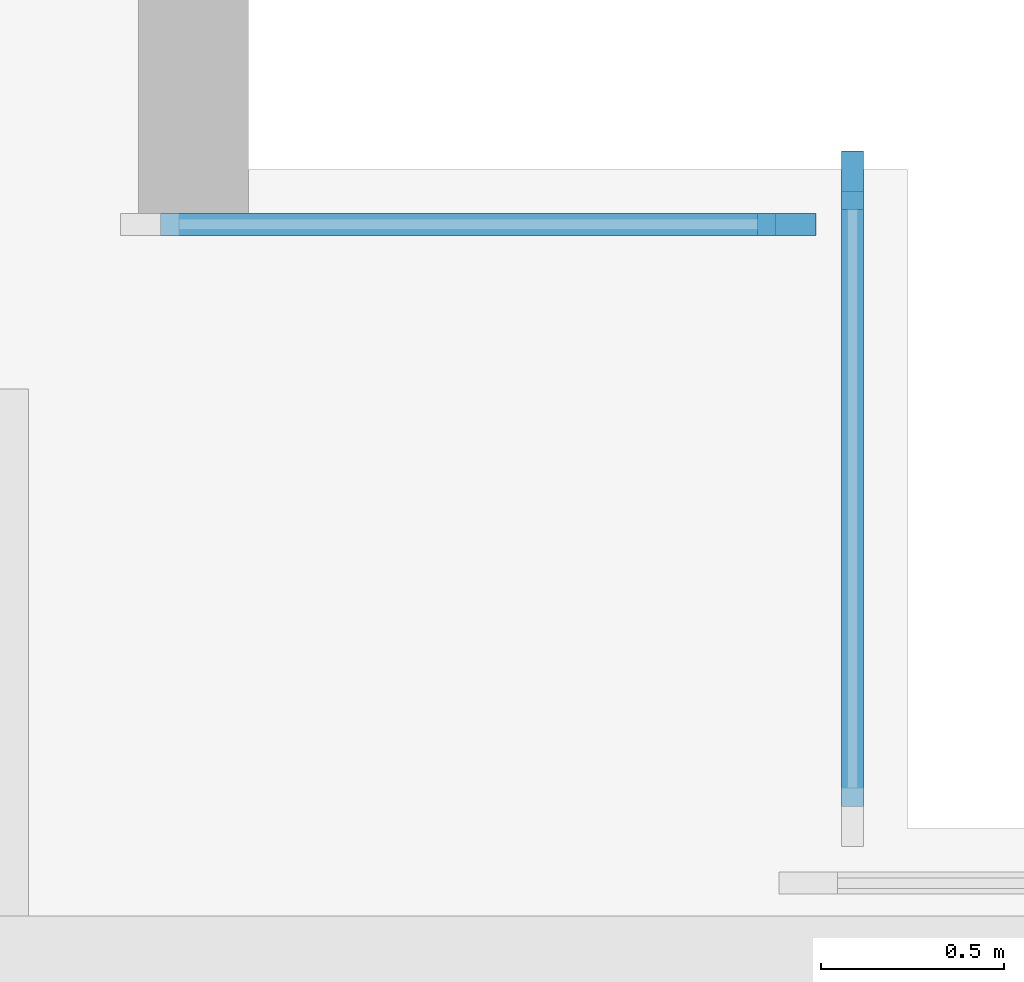
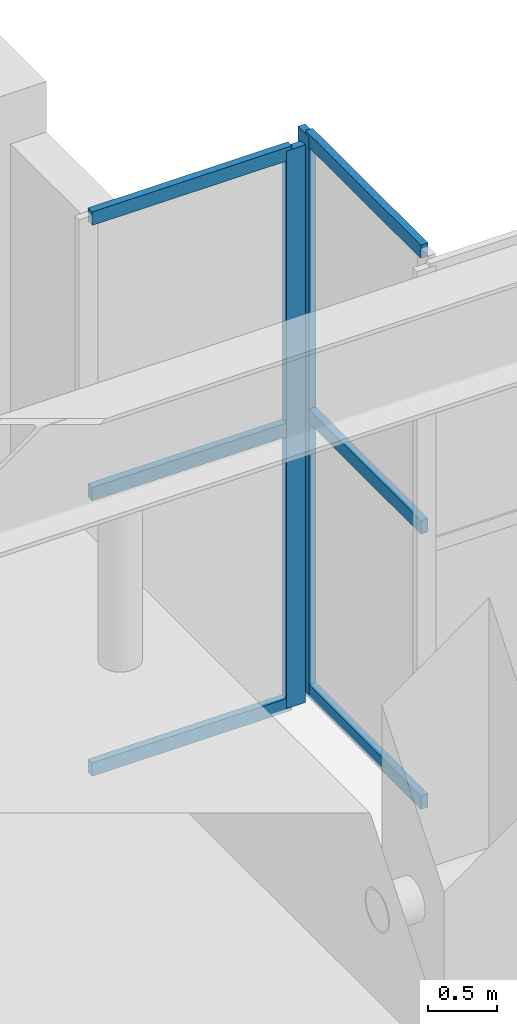
# One storey, part 7 of 13: 8 members, 2 elements without a shape of their own.
"""IFC4 building model written with IfcOpenShell, lengths in metres."""

from ifc_helpers import new_model, si_unit, direction, frame, origin, origin_2d, place, context, subcontext, project, spatial, rectangle, extrude, material, material_profile, profile_set, type_object, element, aggregate, save


model = new_model("IFC4")

# Units and contexts
model_context = context("Model", 3, precision=1e-05, world=origin(), true_north=direction((0.0, 1.0)))
body_context = subcontext(model_context, "Body", "Model", "MODEL_VIEW")
ifc_project = project(units=[si_unit("LENGTHUNIT", "METRE"), si_unit("AREAUNIT", "SQUARE_METRE"), si_unit("VOLUMEUNIT", "CUBIC_METRE"), si_unit("PLANEANGLEUNIT", "RADIAN"), si_unit("MASSUNIT", "GRAM", prefix="KILO")], contexts=[model_context])

# Site, building, storey
site_placement = place(None, origin())
site = spatial("IfcSite", under=ifc_project, at=site_placement, CompositionType="ELEMENT")
building_placement = place(site_placement, origin())
building = spatial("IfcBuilding", under=site, at=building_placement, Name="Fustian Cross Tower", CompositionType="ELEMENT")
storey_placement = place(building_placement, frame((0.0, 0.0, 242.10009765625)))
storey = spatial("IfcBuildingStorey", under=building, at=storey_placement, Name="L76", CompositionType="ELEMENT", Elevation=242.10009765625)

# Curtain wall, member
ifc_material_1 = material(Name="Glass", Category="glass")
curtain_wall_type = type_object("IfcCurtainWallType", Name="CW5 CURTAIN WALL", PredefinedType="NOTDEFINED", material=ifc_material_1)
curtain_wall_1_placement = place(storey_placement, origin())
curtain_wall_1 = element("IfcCurtainWall", 1, at=curtain_wall_1_placement, inside=storey, type_object=curtain_wall_type, Name="Curtain wall CW5", PredefinedType="NOTDEFINED")
ifc_material_2 = material(Name="Aluminium alloy 6063", Category="aluminium")
ifc_material_profile_1 = material_profile(ifc_material_2, rectangle(XDim=0.06005859375, YDim=0.159912109375, at=origin_2d()), Name="CW5 MULLION 60x160")
ifc_profile_set_1 = profile_set([ifc_material_profile_1], Name="Aluminium alloy 6063")
member_type_1 = type_object("IfcMemberType", Name="CW5 MULLION 60x160", PredefinedType="MULLION", material=ifc_profile_set_1)
member_1_placement = place(storey_placement, frame((5.25, 19.77001953125, 0.0), z_axis=(0.0, 0.0, 1.0), x_axis=(-1.0, 0.0, 0.0)))
member_1 = element("IfcMember", 2, at=member_1_placement, type_object=member_type_1, Name="CW5 mullion 2", PredefinedType="MULLION", context=body_context, shape_type="SweptSolid", body=[
    extrude(rectangle(XDim=0.06005859375, YDim=0.159912109375, at=origin_2d()), origin(), (0.0, 0.0, 1.0), 4.949951171875),
])

curtain_wall_2_placement = place(storey_placement, origin())
curtain_wall_2 = element("IfcCurtainWall", 3, at=curtain_wall_2_placement, inside=storey, type_object=curtain_wall_type, Name="Curtain wall CW5", PredefinedType="NOTDEFINED")
member_2_placement = place(storey_placement, frame((5.070068359375, 19.64990234375, 0.0), z_axis=(0.0, 0.0, 1.0), x_axis=(0.0, -1.0, 0.0)))
member_2 = element("IfcMember", 4, at=member_2_placement, type_object=member_type_1, Name="CW5 mullion 1", PredefinedType="MULLION", context=body_context, shape_type="SweptSolid", body=[
    extrude(rectangle(XDim=0.06005859375, YDim=0.159912109375, at=origin_2d()), origin(), (0.0, 0.0, 1.0), 4.949951171875),
])

# Member
ifc_material_3 = material(Name="Aluminium alloy 6063", Category="aluminium")
ifc_material_profile_2 = material_profile(ifc_material_3, rectangle(XDim=0.06005859375, YDim=0.1201171875, at=origin_2d()), Name="CW5 TRANSOM 60x120")
ifc_profile_set_2 = profile_set([ifc_material_profile_2], Name="Aluminium alloy 6063")
member_type_2 = type_object("IfcMemberType", Name="CW5 TRANSOM 60x120", PredefinedType="USERDEFINED", material=ifc_profile_set_2)
member_3_placement = place(storey_placement, frame((5.25, 18.06005859375, 0.02978515625), z_axis=(0.0, 1.0, 0.0), x_axis=(-1.0, 0.0, 0.0)))
member_3 = element("IfcMember", 5, at=member_3_placement, type_object=member_type_2, Name="CW5 transom 1.1", ObjectType="TRANSOM", PredefinedType="USERDEFINED", context=body_context, shape_type="SweptSolid", body=[
    extrude(rectangle(XDim=0.06005859375, YDim=0.1201171875, at=origin_2d()), origin(), (0.0, 0.0, 1.0), 1.679931640625),
])

member_4_placement = place(storey_placement, frame((5.25, 18.06005859375, 2.474853515625), z_axis=(0.0, 1.0, 0.0), x_axis=(-1.0, 0.0, 0.0)))
member_4 = element("IfcMember", 6, at=member_4_placement, type_object=member_type_2, Name="CW5 transom 1.2", ObjectType="TRANSOM", PredefinedType="USERDEFINED", context=body_context, shape_type="SweptSolid", body=[
    extrude(rectangle(XDim=0.06005859375, YDim=0.1201171875, at=origin_2d()), origin(), (0.0, 0.0, 1.0), 1.679931640625),
])

member_5_placement = place(storey_placement, frame((5.25, 18.06005859375, 4.919921875), z_axis=(0.0, 1.0, 0.0), x_axis=(-1.0, 0.0, 0.0)))
member_5 = element("IfcMember", 7, at=member_5_placement, type_object=member_type_2, Name="CW5 transom 1.3", ObjectType="TRANSOM", PredefinedType="USERDEFINED", context=body_context, shape_type="SweptSolid", body=[
    extrude(rectangle(XDim=0.06005859375, YDim=0.1201171875, at=origin_2d()), origin(), (0.0, 0.0, 1.0), 1.679931640625),
])

aggregate(curtain_wall_1, [member_1, member_3, member_4, member_5])

member_6_placement = place(storey_placement, frame((5.0400390625, 19.64990234375, 0.02978515625), z_axis=(-1.0, 0.0, 0.0), x_axis=(0.0, -1.0, 0.0)))
member_6 = element("IfcMember", 8, at=member_6_placement, type_object=member_type_2, Name="CW5 transom 1.1", ObjectType="TRANSOM", PredefinedType="USERDEFINED", context=body_context, shape_type="SweptSolid", body=[
    extrude(rectangle(XDim=0.06005859375, YDim=0.1201171875, at=origin_2d()), origin(), (0.0, 0.0, 1.0), 1.679931640625),
])

member_7_placement = place(storey_placement, frame((5.0400390625, 19.64990234375, 2.474853515625), z_axis=(-1.0, 0.0, 0.0), x_axis=(0.0, -1.0, 0.0)))
member_7 = element("IfcMember", 9, at=member_7_placement, type_object=member_type_2, Name="CW5 transom 1.2", ObjectType="TRANSOM", PredefinedType="USERDEFINED", context=body_context, shape_type="SweptSolid", body=[
    extrude(rectangle(XDim=0.06005859375, YDim=0.1201171875, at=origin_2d()), origin(), (0.0, 0.0, 1.0), 1.679931640625),
])

member_8_placement = place(storey_placement, frame((5.0400390625, 19.64990234375, 4.919921875), z_axis=(-1.0, 0.0, 0.0), x_axis=(0.0, -1.0, 0.0)))
member_8 = element("IfcMember", 10, at=member_8_placement, type_object=member_type_2, Name="CW5 transom 1.3", ObjectType="TRANSOM", PredefinedType="USERDEFINED", context=body_context, shape_type="SweptSolid", body=[
    extrude(rectangle(XDim=0.06005859375, YDim=0.1201171875, at=origin_2d()), origin(), (0.0, 0.0, 1.0), 1.679931640625),
])

aggregate(curtain_wall_2, [member_2, member_6, member_7, member_8])

save(model, "model.ifc")
